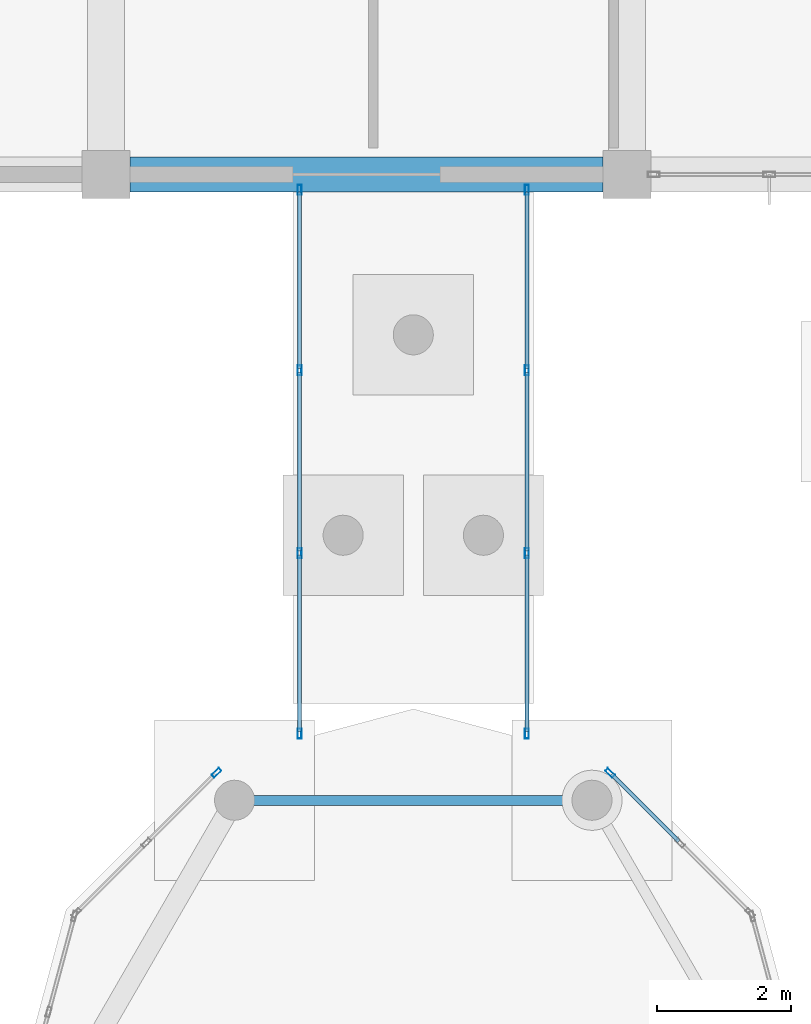
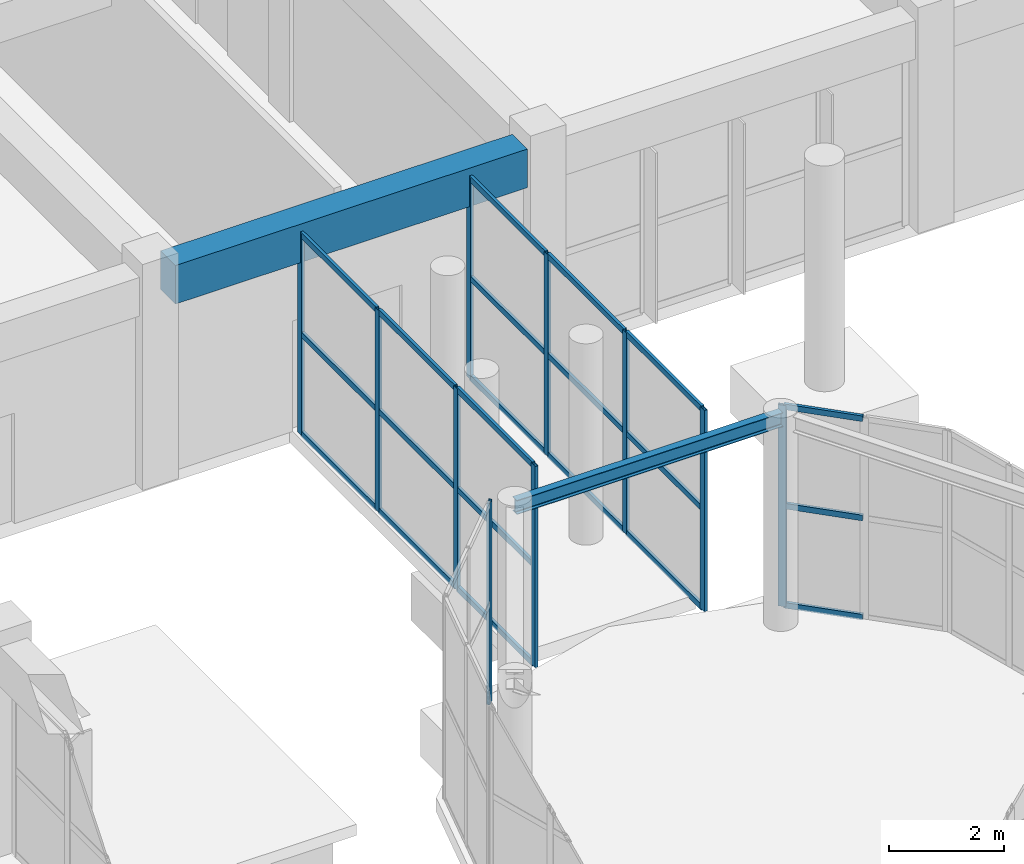
# One storey, part 56 of 139: 31 members, 2 beams, 4 elements without a shape of their own.
"""IFC4 building model written with IfcOpenShell, lengths in metres."""

import ifcopenshell
import ifcopenshell.guid

model = None  # the IFC model being written
_history = None  # IfcOwnerHistory: only IFC2X3 demands one
_inside = {}  # id of a spatial element -> (the spatial element, [elements in it])
_under = {}  # id of a project, library or spatial element -> (it, [spatial elements below it])
_declared = {}  # id of a project -> (the project, [libraries it declares])
_typed = {}  # id of a type object -> (the type object, [elements of that type])
_made_of = {}  # id of a material, layer set ... -> (it, [elements and type objects made of it])


def new_model(schema):
    """Start an empty IFC model of exactly this schema.

    Asked for "IFC4X3", IfcOpenShell would pick the latest addendum, in which some entities
    have other attributes; the version numbers below select the first issue.
    IFC2X3 requires an IfcOwnerHistory on every rooted entity: one is made here for all.
    """
    global model, _history
    if schema == "IFC4X3":
        model = ifcopenshell.file(schema_version=(4, 3, 0, 0))
    else:
        model = ifcopenshell.file(schema=schema)
    _inside.clear()
    _under.clear()
    _declared.clear()
    _typed.clear()
    _made_of.clear()
    _history = None
    if model.schema == "IFC2X3":
        org = make("IfcOrganization", Name="unknown")
        user = make(
            "IfcPersonAndOrganization",
            ThePerson=make("IfcPerson", FamilyName="unknown"),
            TheOrganization=org,
        )
        app = make(
            "IfcApplication",
            ApplicationDeveloper=org,
            Version="unknown",
            ApplicationFullName="unknown",
            ApplicationIdentifier="unknown",
        )
        _history = make(
            "IfcOwnerHistory",
            OwningUser=user,
            OwningApplication=app,
            ChangeAction="ADDED",
            CreationDate=0,
        )
    return model


def make(cls, **values):
    """One entity of the class cls with the attributes given. An attribute that is None is left unset."""
    return model.create_entity(
        cls, **{name: value for name, value in values.items() if value is not None}
    )


def rooted(cls, **values):
    """An entity with a GlobalId (a new one), such as an element, a storey or a relation."""
    return make(cls, GlobalId=ifcopenshell.guid.new(), OwnerHistory=_history, **values)


def si_unit(unit_type, name, prefix=None):
    """IfcSIUnit, for example si_unit("LENGTHUNIT", "METRE", prefix="MILLI")."""
    return make("IfcSIUnit", UnitType=unit_type, Prefix=prefix, Name=name)


def assignment(units):
    """IfcUnitAssignment: the units of a project."""
    return None if units is None else make("IfcUnitAssignment", Units=units)


def point(xyz):
    """IfcCartesianPoint."""
    return None if xyz is None else make("IfcCartesianPoint", Coordinates=xyz)


def direction(xyz):
    """IfcDirection."""
    return None if xyz is None else make("IfcDirection", DirectionRatios=xyz)


def frame(location, z_axis=None, x_axis=None):
    """IfcAxis2Placement3D, a coordinate frame: its origin and axes. An axis left out is left unset."""
    return make(
        "IfcAxis2Placement3D",
        Location=point(location),
        Axis=direction(z_axis),
        RefDirection=direction(x_axis),
    )


def frame_2d(location, x_axis=None):
    """IfcAxis2Placement2D, a coordinate frame in the plane: its origin and x axis."""
    return make(
        "IfcAxis2Placement2D", Location=point(location), RefDirection=direction(x_axis)
    )


def origin():
    """The frame at (0, 0, 0) with its axes left unset."""
    return frame((0.0, 0.0, 0.0))


def origin_2d():
    """The frame at (0, 0) in the plane with its x axis left unset."""
    return frame_2d((0.0, 0.0))


def place(relative_to, where):
    """IfcLocalPlacement: puts the frame where relative to a parent placement (None: the world)."""
    return make(
        "IfcLocalPlacement", PlacementRelTo=relative_to, RelativePlacement=where
    )


def context(
    kind, dimensions, precision=None, world=None, true_north=None, identifier=None
):
    """IfcGeometricRepresentationContext, for example the 3D "Model" context."""
    return make(
        "IfcGeometricRepresentationContext",
        ContextIdentifier=identifier,
        ContextType=kind,
        CoordinateSpaceDimension=dimensions,
        Precision=precision,
        WorldCoordinateSystem=world,
        TrueNorth=true_north,
    )


def subcontext(parent, identifier, kind, view, scale=None):
    """IfcGeometricRepresentationSubContext, for example "Body" below "Model"."""
    return make(
        "IfcGeometricRepresentationSubContext",
        ContextIdentifier=identifier,
        ContextType=kind,
        ParentContext=parent,
        TargetScale=scale,
        TargetView=view,
    )


def project(units=None, contexts=None):
    """IfcProject with its units and contexts."""
    return rooted(
        "IfcProject",
        Name="project",
        RepresentationContexts=contexts,
        UnitsInContext=assignment(units),
    )


def spatial(cls, under=None, at=None, **own):
    """A site, building, storey or space (cls), placed at a placement, below another one or the project."""
    s = rooted(cls, ObjectPlacement=at, **own)
    if under is not None:
        _under.setdefault(under.id(), (under, []))[1].append(s)
    return s


def profile(cls, at=None, kind="AREA", **sizes):
    """A parametric profile (cls). Its sizes go by their IFC names, for example OverallWidth=200.0."""
    return make(cls, ProfileType=kind, Position=at, **sizes)


def rectangle(**sizes):
    """IfcRectangleProfileDef."""
    return profile("IfcRectangleProfileDef", **sizes)


def hollow_rectangle(**sizes):
    """IfcRectangleHollowProfileDef."""
    return profile("IfcRectangleHollowProfileDef", **sizes)


def i_section(**sizes):
    """IfcIShapeProfileDef."""
    return profile("IfcIShapeProfileDef", **sizes)


def extrude(swept, where, along, depth):
    """IfcExtrudedAreaSolid: the profile swept, set in the frame where, extruded along a direction by depth."""
    return make(
        "IfcExtrudedAreaSolid",
        SweptArea=swept,
        Position=where,
        ExtrudedDirection=direction(along),
        Depth=depth,
    )


def shape(context_of_items, identifier, shape_type, items):
    """IfcShapeRepresentation: the items that make up one representation, for example the "Body"."""
    return make(
        "IfcShapeRepresentation",
        ContextOfItems=context_of_items,
        RepresentationIdentifier=identifier,
        RepresentationType=shape_type,
        Items=items,
    )


def material(Name=None, Category=None):
    """IfcMaterial."""
    return make("IfcMaterial", Name=Name, Category=Category)


def layer(
    of_material, thickness, ventilated=None, Name=None, Category=None, Priority=None
):
    """IfcMaterialLayer: one layer of a wall or slab, of a material (None: an air gap)."""
    return make(
        "IfcMaterialLayer",
        Material=of_material,
        LayerThickness=thickness,
        IsVentilated=ventilated,
        Name=Name,
        Category=Category,
        Priority=Priority,
    )


def layer_set(layers, Name=None):
    """IfcMaterialLayerSet."""
    return make("IfcMaterialLayerSet", MaterialLayers=layers, LayerSetName=Name)


def material_profile(
    of_material, cross_section, Name=None, Category=None, Priority=None
):
    """IfcMaterialProfile: a cross section and its material."""
    return make(
        "IfcMaterialProfile",
        Name=Name,
        Material=of_material,
        Profile=cross_section,
        Priority=Priority,
        Category=Category,
    )


def profile_set(profiles, Name=None, composite=None):
    """IfcMaterialProfileSet."""
    return make(
        "IfcMaterialProfileSet",
        Name=Name,
        MaterialProfiles=profiles,
        CompositeProfile=composite,
    )


def made_of(thing, what):
    """Note that an element or type object is made of a material, layer set ...; save() writes the relation."""
    if what is not None:
        _made_of.setdefault(what.id(), (what, []))[1].append(thing)
    return thing


def type_object(cls, material=None, **own):
    """A type object (cls), such as IfcWallType, which elements share."""
    return made_of(rooted(cls, **own), material)


def element(
    cls,
    number,
    at=None,
    inside=None,
    cuts=None,
    type_object=None,
    material=None,
    context=None,
    identifier="Body",
    shape_type=None,
    held_by="IfcProductDefinitionShape",
    body=None,
    shapes=None,
    **own,
):
    """One element of the class cls, such as IfcWall. Its Tag is "e" and its number.

    at: its placement. inside: the storey or other place that contains it. cuts: it is an
    opening in that element (IfcRelVoidsElement). A single representation is given by context,
    identifier, shape_type and body (its items); several are given by shapes. held_by: the class
    of the entity that holds the representations. save() writes the other relations.
    """
    e = rooted(cls, Tag="e%d" % number, ObjectPlacement=at, **own)
    if body is not None:
        shapes = [shape(context, identifier, shape_type, body)]
    if shapes is not None:
        e.Representation = make(held_by, Representations=shapes)
    if inside is not None:
        _inside.setdefault(inside.id(), (inside, []))[1].append(e)
    if cuts is not None:
        rooted(
            "IfcRelVoidsElement", RelatingBuildingElement=cuts, RelatedOpeningElement=e
        )
    if type_object is not None:
        _typed.setdefault(type_object.id(), (type_object, []))[1].append(e)
    return made_of(e, material)


def aggregate(whole, parts):
    """IfcRelAggregates: a whole, such as a stair, and the parts it consists of."""
    return rooted("IfcRelAggregates", RelatingObject=whole, RelatedObjects=parts)


def save(model, path):
    """Write the relations noted so far, then the file.

    IfcRelAggregates (storeys below a building ...), IfcRelContainedInSpatialStructure (elements
    in a storey), IfcRelDefinesByType, IfcRelAssociatesMaterial and IfcRelDeclares: one each for
    every whole, place, type object, material and project.
    """
    for whole, parts in _under.values():
        aggregate(whole, parts)
    for where, things in _inside.values():
        rooted(
            "IfcRelContainedInSpatialStructure",
            RelatedElements=things,
            RelatingStructure=where,
        )
    for kind, things in _typed.values():
        rooted("IfcRelDefinesByType", RelatedObjects=things, RelatingType=kind)
    for what, things in _made_of.values():
        rooted("IfcRelAssociatesMaterial", RelatedObjects=things, RelatingMaterial=what)
    for by, libraries in _declared.values():
        rooted("IfcRelDeclares", RelatingContext=by, RelatedDefinitions=libraries)
    model.write(path)


model = new_model("IFC4")

# Units and contexts
model_context = context("Model", 3, precision=1e-05, world=origin(), true_north=direction((0.0, 1.0)))
body_context = subcontext(model_context, "Body", "Model", "MODEL_VIEW")
ifc_project = project(units=[si_unit("LENGTHUNIT", "METRE"), si_unit("AREAUNIT", "SQUARE_METRE"), si_unit("VOLUMEUNIT", "CUBIC_METRE"), si_unit("PLANEANGLEUNIT", "RADIAN"), si_unit("MASSUNIT", "GRAM", prefix="KILO")], contexts=[model_context])

# Site, building, storey
site_placement = place(None, origin())
site = spatial("IfcSite", under=ifc_project, at=site_placement, CompositionType="ELEMENT")
building_placement = place(site_placement, origin())
building = spatial("IfcBuilding", under=site, at=building_placement, Name="Zizhar Promenade General Hospital", CompositionType="ELEMENT")
storey_placement = place(building_placement, origin())
storey = spatial("IfcBuildingStorey", under=building, at=storey_placement, Name="L00", CompositionType="ELEMENT", Elevation=0.0)

# Beams
ifc_material_1 = material(Name="Concrete C35/45", Category="concrete")
ifc_material_profile_1 = material_profile(ifc_material_1, rectangle(XDim=0.52001953125, YDim=0.820068359375, at=origin_2d()))
ifc_profile_set_1 = profile_set([ifc_material_profile_1], Name="Concrete C35/45")
beam_type_1 = type_object("IfcBeamType", Name="BM-RC-520x820", PredefinedType="BEAM", material=ifc_profile_set_1)
beam_1_placement = place(storey_placement, frame((140.760009765625, 42.0, 4.06005859375), z_axis=(1.0, 0.0, 0.0), x_axis=(0.0, 1.0, 0.0)))
element("IfcBeam", 1, at=beam_1_placement, inside=storey, type_object=beam_type_1, Name="Grid Beam X L00 (18-5)", PredefinedType="BEAM", context=body_context, shape_type="SweptSolid", body=[
    extrude(rectangle(XDim=0.52001953125, YDim=0.820068359375, at=origin_2d()), origin(), (0.0, 0.0, 1.0), 7.080078125),
])
ifc_material_2 = material(Name="Steel S355", Category="steel")
ifc_material_profile_2 = material_profile(ifc_material_2, i_section(OverallWidth=0.14990234375, OverallDepth=0.300048828125, WebThickness=0.007080078125, FlangeThickness=0.0107421875, FilletRadius=0.014892578125, at=origin_2d()))
ifc_profile_set_2 = profile_set([ifc_material_profile_2], Name="Steel S355")
beam_type_2 = type_object("IfcBeamType", Name="BM-STL-IPE300", PredefinedType="JOIST", material=ifc_profile_set_2)
beam_2_placement = place(storey_placement, frame((147.675048828125, 32.63330078125, 4.340087890625), z_axis=(-1.0, 0.0, 0.0), x_axis=(0.0, -1.0, 0.0)))
element("IfcBeam", 2, at=beam_2_placement, inside=storey, type_object=beam_type_2, Name="PAV-1 Roof Ring Beam 2", PredefinedType="JOIST", context=body_context, shape_type="SweptSolid", body=[
    extrude(i_section(OverallWidth=0.14990234375, OverallDepth=0.300048828125, WebThickness=0.007080078125, FlangeThickness=0.0107421875, FilletRadius=0.014892578125, at=origin_2d()), origin(), (0.0, 0.0, 1.0), 5.35009765625),
])

# Curtain wall, member
ifc_material_3 = material(Name="Anodised aluminium 6063-T6 and low-E glass", Category="aluminium")
ifc_layer = layer(ifc_material_3, 0.159912109375)
ifc_layer_set = layer_set([ifc_layer], Name="Anodised aluminium 6063-T6 and low-E glass")
curtain_wall_type = type_object("IfcCurtainWallType", Name="CW-PAV-GLZ", PredefinedType="NOTDEFINED", material=ifc_layer_set)
curtain_wall_1_placement = place(storey_placement, origin())
curtain_wall_1 = element("IfcCurtainWall", 3, at=curtain_wall_1_placement, inside=storey, type_object=curtain_wall_type, Name="Outpatient Welcome Pavilion Curved Glazing 2", PredefinedType="NOTDEFINED")
ifc_material_4 = material(Name="Anodised aluminium 6063-T6", Category="aluminium")
ifc_material_profile_3 = material_profile(ifc_material_4, hollow_rectangle(XDim=0.06005859375, YDim=0.14990234375, WallThickness=0.00390625, at=origin_2d()))
ifc_profile_set_3 = profile_set([ifc_material_profile_3], Name="Anodised aluminium 6063-T6")
member_type_1 = type_object("IfcMemberType", Name="CWM-ALU-150x60", PredefinedType="MULLION", material=ifc_profile_set_3)
member_1_placement = place(storey_placement, frame((147.9462890625, 33.044921875, 0.0), z_axis=(0.0, 0.0, 1.0), x_axis=(0.707106781187, 0.707106781187, 0.0)))
member_1 = element("IfcMember", 4, at=member_1_placement, type_object=member_type_1, Name="CW-14 mullion 1", PredefinedType="MULLION", context=body_context, shape_type="SweptSolid", body=[
    extrude(hollow_rectangle(XDim=0.06005859375, YDim=0.14990234375, WallThickness=0.00390625, at=origin_2d()), origin(), (0.0, 0.0, 1.0), 4.280029296875),
])

curtain_wall_2_placement = place(storey_placement, origin())
curtain_wall_2 = element("IfcCurtainWall", 5, at=curtain_wall_2_placement, inside=storey, type_object=curtain_wall_type, Name="Outpatient Welcome Pavilion Curved Glazing 5", PredefinedType="NOTDEFINED")
member_2_placement = place(storey_placement, frame((142.0537109375, 33.044921875, 0.0), z_axis=(0.0, 0.0, 1.0), x_axis=(-0.707106781187, 0.707106781187, 0.0)))
member_2 = element("IfcMember", 6, at=member_2_placement, type_object=member_type_1, Name="CW-14 mullion 3", PredefinedType="MULLION", context=body_context, shape_type="SweptSolid", body=[
    extrude(hollow_rectangle(XDim=0.06005859375, YDim=0.14990234375, WallThickness=0.00390625, at=origin_2d()), origin(), (0.0, 0.0, 1.0), 4.280029296875),
])
aggregate(curtain_wall_2, [member_2])

# Curtain wall, members
curtain_wall_3_placement = place(storey_placement, origin())
curtain_wall_3 = element("IfcCurtainWall", 7, at=curtain_wall_3_placement, inside=storey, type_object=curtain_wall_type, Name="Outpatient Welcome Pavilion Link West Glazing", PredefinedType="NOTDEFINED")
member_3_placement = place(storey_placement, frame((143.300048828125, 33.6298828125, 0.0), z_axis=(0.0, 0.0, 1.0), x_axis=(-1.0, 0.0, 0.0)))
member_3 = element("IfcMember", 8, at=member_3_placement, type_object=member_type_1, Name="CW-14 mullion 1", PredefinedType="MULLION", context=body_context, shape_type="SweptSolid", body=[
    extrude(hollow_rectangle(XDim=0.06005859375, YDim=0.14990234375, WallThickness=0.00390625, at=origin_2d()), origin(), (0.0, 0.0, 1.0), 4.280029296875),
])
member_4_placement = place(storey_placement, frame((143.300048828125, 36.333251953125, 0.0), z_axis=(0.0, 0.0, 1.0), x_axis=(-1.0, 0.0, 0.0)))
member_4 = element("IfcMember", 9, at=member_4_placement, type_object=member_type_1, Name="CW-14 mullion 2", PredefinedType="MULLION", context=body_context, shape_type="SweptSolid", body=[
    extrude(hollow_rectangle(XDim=0.06005859375, YDim=0.14990234375, WallThickness=0.00390625, at=origin_2d()), origin(), (0.0, 0.0, 1.0), 4.280029296875),
])
member_5_placement = place(storey_placement, frame((143.300048828125, 39.066650390625, 0.0), z_axis=(0.0, 0.0, 1.0), x_axis=(-1.0, 0.0, 0.0)))
member_5 = element("IfcMember", 10, at=member_5_placement, type_object=member_type_1, Name="CW-14 mullion 3", PredefinedType="MULLION", context=body_context, shape_type="SweptSolid", body=[
    extrude(hollow_rectangle(XDim=0.06005859375, YDim=0.14990234375, WallThickness=0.00390625, at=origin_2d()), origin(), (0.0, 0.0, 1.0), 4.280029296875),
])
member_6_placement = place(storey_placement, frame((143.300048828125, 41.77001953125, 0.0), z_axis=(0.0, 0.0, 1.0), x_axis=(-1.0, 0.0, 0.0)))
member_6 = element("IfcMember", 11, at=member_6_placement, type_object=member_type_1, Name="CW-14 mullion 4", PredefinedType="MULLION", context=body_context, shape_type="SweptSolid", body=[
    extrude(hollow_rectangle(XDim=0.06005859375, YDim=0.14990234375, WallThickness=0.00390625, at=origin_2d()), origin(), (0.0, 0.0, 1.0), 4.280029296875),
])

curtain_wall_4_placement = place(storey_placement, origin())
curtain_wall_4 = element("IfcCurtainWall", 12, at=curtain_wall_4_placement, inside=storey, type_object=curtain_wall_type, Name="Outpatient Welcome Pavilion Link East Glazing", PredefinedType="NOTDEFINED")
member_7_placement = place(storey_placement, frame((146.699951171875, 41.77001953125, 0.0), z_axis=(0.0, 0.0, 1.0), x_axis=(1.0, 0.0, 0.0)))
member_7 = element("IfcMember", 13, at=member_7_placement, type_object=member_type_1, Name="CW-14 mullion 1", PredefinedType="MULLION", context=body_context, shape_type="SweptSolid", body=[
    extrude(hollow_rectangle(XDim=0.06005859375, YDim=0.14990234375, WallThickness=0.00390625, at=origin_2d()), origin(), (0.0, 0.0, 1.0), 4.280029296875),
])
member_8_placement = place(storey_placement, frame((146.699951171875, 39.066650390625, 0.0), z_axis=(0.0, 0.0, 1.0), x_axis=(1.0, 0.0, 0.0)))
member_8 = element("IfcMember", 14, at=member_8_placement, type_object=member_type_1, Name="CW-14 mullion 2", PredefinedType="MULLION", context=body_context, shape_type="SweptSolid", body=[
    extrude(hollow_rectangle(XDim=0.06005859375, YDim=0.14990234375, WallThickness=0.00390625, at=origin_2d()), origin(), (0.0, 0.0, 1.0), 4.280029296875),
])
member_9_placement = place(storey_placement, frame((146.699951171875, 36.333251953125, 0.0), z_axis=(0.0, 0.0, 1.0), x_axis=(1.0, 0.0, 0.0)))
member_9 = element("IfcMember", 15, at=member_9_placement, type_object=member_type_1, Name="CW-14 mullion 3", PredefinedType="MULLION", context=body_context, shape_type="SweptSolid", body=[
    extrude(hollow_rectangle(XDim=0.06005859375, YDim=0.14990234375, WallThickness=0.00390625, at=origin_2d()), origin(), (0.0, 0.0, 1.0), 4.280029296875),
])
member_10_placement = place(storey_placement, frame((146.699951171875, 33.6298828125, 0.0), z_axis=(0.0, 0.0, 1.0), x_axis=(1.0, 0.0, 0.0)))
member_10 = element("IfcMember", 16, at=member_10_placement, type_object=member_type_1, Name="CW-14 mullion 4", PredefinedType="MULLION", context=body_context, shape_type="SweptSolid", body=[
    extrude(hollow_rectangle(XDim=0.06005859375, YDim=0.14990234375, WallThickness=0.00390625, at=origin_2d()), origin(), (0.0, 0.0, 1.0), 4.280029296875),
])

# Member
ifc_material_5 = material(Name="Anodised aluminium 6063-T6", Category="aluminium")
ifc_material_profile_4 = material_profile(ifc_material_5, hollow_rectangle(XDim=0.06005859375, YDim=0.1201171875, WallThickness=0.00390625, at=origin_2d()))
ifc_profile_set_4 = profile_set([ifc_material_profile_4], Name="Anodised aluminium 6063-T6")
member_type_2 = type_object("IfcMemberType", Name="CWT-ALU-120x60", PredefinedType="USERDEFINED", material=ifc_profile_set_4)
member_11_placement = place(storey_placement, frame((147.967529296875, 33.023681640625, 0.030029296875), z_axis=(0.707106781187, -0.707106781187, 0.0), x_axis=(0.707106781187, 0.707106781187, 0.0)))
member_11 = element("IfcMember", 17, at=member_11_placement, type_object=member_type_2, Name="CW-14 transom 1.1", ObjectType="TRANSOM", PredefinedType="USERDEFINED", context=body_context, shape_type="SweptSolid", body=[
    extrude(hollow_rectangle(XDim=0.06005859375, YDim=0.1201171875, WallThickness=0.00390625, at=origin_2d()), origin(), (0.0, 0.0, 1.0), 1.423828125),
])

member_12_placement = place(storey_placement, frame((147.967529296875, 33.023681640625, 2.139892578125), z_axis=(0.707106781187, -0.707106781187, 0.0), x_axis=(0.707106781187, 0.707106781187, 0.0)))
member_12 = element("IfcMember", 18, at=member_12_placement, type_object=member_type_2, Name="CW-14 transom 1.2", ObjectType="TRANSOM", PredefinedType="USERDEFINED", context=body_context, shape_type="SweptSolid", body=[
    extrude(hollow_rectangle(XDim=0.06005859375, YDim=0.1201171875, WallThickness=0.00390625, at=origin_2d()), origin(), (0.0, 0.0, 1.0), 1.423828125),
])

member_13_placement = place(storey_placement, frame((147.967529296875, 33.023681640625, 4.25), z_axis=(0.707106781187, -0.707106781187, 0.0), x_axis=(0.707106781187, 0.707106781187, 0.0)))
member_13 = element("IfcMember", 19, at=member_13_placement, type_object=member_type_2, Name="CW-14 transom 1.3", ObjectType="TRANSOM", PredefinedType="USERDEFINED", context=body_context, shape_type="SweptSolid", body=[
    extrude(hollow_rectangle(XDim=0.06005859375, YDim=0.1201171875, WallThickness=0.00390625, at=origin_2d()), origin(), (0.0, 0.0, 1.0), 1.423828125),
])

aggregate(curtain_wall_1, [member_1, member_11, member_12, member_13])

member_14_placement = place(storey_placement, frame((143.300048828125, 33.659912109375, 0.030029296875), z_axis=(0.0, 1.0, 0.0), x_axis=(-1.0, 0.0, 0.0)))
member_14 = element("IfcMember", 20, at=member_14_placement, type_object=member_type_2, Name="CW-14 transom 1.1", ObjectType="TRANSOM", PredefinedType="USERDEFINED", context=body_context, shape_type="SweptSolid", body=[
    extrude(hollow_rectangle(XDim=0.06005859375, YDim=0.1201171875, WallThickness=0.00390625, at=origin_2d()), origin(), (0.0, 0.0, 1.0), 2.643310546875),
])

member_15_placement = place(storey_placement, frame((143.300048828125, 33.659912109375, 2.139892578125), z_axis=(0.0, 1.0, 0.0), x_axis=(-1.0, 0.0, 0.0)))
member_15 = element("IfcMember", 21, at=member_15_placement, type_object=member_type_2, Name="CW-14 transom 1.2", ObjectType="TRANSOM", PredefinedType="USERDEFINED", context=body_context, shape_type="SweptSolid", body=[
    extrude(hollow_rectangle(XDim=0.06005859375, YDim=0.1201171875, WallThickness=0.00390625, at=origin_2d()), origin(), (0.0, 0.0, 1.0), 2.643310546875),
])

member_16_placement = place(storey_placement, frame((143.300048828125, 33.659912109375, 4.25), z_axis=(0.0, 1.0, 0.0), x_axis=(-1.0, 0.0, 0.0)))
member_16 = element("IfcMember", 22, at=member_16_placement, type_object=member_type_2, Name="CW-14 transom 1.3", ObjectType="TRANSOM", PredefinedType="USERDEFINED", context=body_context, shape_type="SweptSolid", body=[
    extrude(hollow_rectangle(XDim=0.06005859375, YDim=0.1201171875, WallThickness=0.00390625, at=origin_2d()), origin(), (0.0, 0.0, 1.0), 2.643310546875),
])

member_17_placement = place(storey_placement, frame((143.300048828125, 36.36328125, 0.030029296875), z_axis=(0.0, 1.0, 0.0), x_axis=(-1.0, 0.0, 0.0)))
member_17 = element("IfcMember", 23, at=member_17_placement, type_object=member_type_2, Name="CW-14 transom 2.1", ObjectType="TRANSOM", PredefinedType="USERDEFINED", context=body_context, shape_type="SweptSolid", body=[
    extrude(hollow_rectangle(XDim=0.06005859375, YDim=0.1201171875, WallThickness=0.00390625, at=origin_2d()), origin(), (0.0, 0.0, 1.0), 2.67333984375),
])

member_18_placement = place(storey_placement, frame((143.300048828125, 36.36328125, 2.139892578125), z_axis=(0.0, 1.0, 0.0), x_axis=(-1.0, 0.0, 0.0)))
member_18 = element("IfcMember", 24, at=member_18_placement, type_object=member_type_2, Name="CW-14 transom 2.2", ObjectType="TRANSOM", PredefinedType="USERDEFINED", context=body_context, shape_type="SweptSolid", body=[
    extrude(hollow_rectangle(XDim=0.06005859375, YDim=0.1201171875, WallThickness=0.00390625, at=origin_2d()), origin(), (0.0, 0.0, 1.0), 2.67333984375),
])

member_19_placement = place(storey_placement, frame((143.300048828125, 36.36328125, 4.25), z_axis=(0.0, 1.0, 0.0), x_axis=(-1.0, 0.0, 0.0)))
member_19 = element("IfcMember", 25, at=member_19_placement, type_object=member_type_2, Name="CW-14 transom 2.3", ObjectType="TRANSOM", PredefinedType="USERDEFINED", context=body_context, shape_type="SweptSolid", body=[
    extrude(hollow_rectangle(XDim=0.06005859375, YDim=0.1201171875, WallThickness=0.00390625, at=origin_2d()), origin(), (0.0, 0.0, 1.0), 2.67333984375),
])

member_20_placement = place(storey_placement, frame((143.300048828125, 39.0966796875, 0.030029296875), z_axis=(0.0, 1.0, 0.0), x_axis=(-1.0, 0.0, 0.0)))
member_20 = element("IfcMember", 26, at=member_20_placement, type_object=member_type_2, Name="CW-14 transom 3.1", ObjectType="TRANSOM", PredefinedType="USERDEFINED", context=body_context, shape_type="SweptSolid", body=[
    extrude(hollow_rectangle(XDim=0.06005859375, YDim=0.1201171875, WallThickness=0.00390625, at=origin_2d()), origin(), (0.0, 0.0, 1.0), 2.643310546875),
])

member_21_placement = place(storey_placement, frame((143.300048828125, 39.0966796875, 2.139892578125), z_axis=(0.0, 1.0, 0.0), x_axis=(-1.0, 0.0, 0.0)))
member_21 = element("IfcMember", 27, at=member_21_placement, type_object=member_type_2, Name="CW-14 transom 3.2", ObjectType="TRANSOM", PredefinedType="USERDEFINED", context=body_context, shape_type="SweptSolid", body=[
    extrude(hollow_rectangle(XDim=0.06005859375, YDim=0.1201171875, WallThickness=0.00390625, at=origin_2d()), origin(), (0.0, 0.0, 1.0), 2.643310546875),
])

member_22_placement = place(storey_placement, frame((143.300048828125, 39.0966796875, 4.25), z_axis=(0.0, 1.0, 0.0), x_axis=(-1.0, 0.0, 0.0)))
member_22 = element("IfcMember", 28, at=member_22_placement, type_object=member_type_2, Name="CW-14 transom 3.3", ObjectType="TRANSOM", PredefinedType="USERDEFINED", context=body_context, shape_type="SweptSolid", body=[
    extrude(hollow_rectangle(XDim=0.06005859375, YDim=0.1201171875, WallThickness=0.00390625, at=origin_2d()), origin(), (0.0, 0.0, 1.0), 2.643310546875),
])

aggregate(curtain_wall_3, [member_3, member_4, member_5, member_6, member_14, member_15, member_16, member_17, member_18, member_19, member_20, member_21, member_22])

member_23_placement = place(storey_placement, frame((146.699951171875, 41.739990234375, 0.030029296875), z_axis=(0.0, -1.0, 0.0), x_axis=(1.0, 0.0, 0.0)))
member_23 = element("IfcMember", 29, at=member_23_placement, type_object=member_type_2, Name="CW-14 transom 1.1", ObjectType="TRANSOM", PredefinedType="USERDEFINED", context=body_context, shape_type="SweptSolid", body=[
    extrude(hollow_rectangle(XDim=0.06005859375, YDim=0.1201171875, WallThickness=0.00390625, at=origin_2d()), origin(), (0.0, 0.0, 1.0), 2.643310546875),
])

member_24_placement = place(storey_placement, frame((146.699951171875, 41.739990234375, 2.139892578125), z_axis=(0.0, -1.0, 0.0), x_axis=(1.0, 0.0, 0.0)))
member_24 = element("IfcMember", 30, at=member_24_placement, type_object=member_type_2, Name="CW-14 transom 1.2", ObjectType="TRANSOM", PredefinedType="USERDEFINED", context=body_context, shape_type="SweptSolid", body=[
    extrude(hollow_rectangle(XDim=0.06005859375, YDim=0.1201171875, WallThickness=0.00390625, at=origin_2d()), origin(), (0.0, 0.0, 1.0), 2.643310546875),
])

member_25_placement = place(storey_placement, frame((146.699951171875, 41.739990234375, 4.25), z_axis=(0.0, -1.0, 0.0), x_axis=(1.0, 0.0, 0.0)))
member_25 = element("IfcMember", 31, at=member_25_placement, type_object=member_type_2, Name="CW-14 transom 1.3", ObjectType="TRANSOM", PredefinedType="USERDEFINED", context=body_context, shape_type="SweptSolid", body=[
    extrude(hollow_rectangle(XDim=0.06005859375, YDim=0.1201171875, WallThickness=0.00390625, at=origin_2d()), origin(), (0.0, 0.0, 1.0), 2.643310546875),
])

member_26_placement = place(storey_placement, frame((146.699951171875, 39.03662109375, 0.030029296875), z_axis=(0.0, -1.0, 0.0), x_axis=(1.0, 0.0, 0.0)))
member_26 = element("IfcMember", 32, at=member_26_placement, type_object=member_type_2, Name="CW-14 transom 2.1", ObjectType="TRANSOM", PredefinedType="USERDEFINED", context=body_context, shape_type="SweptSolid", body=[
    extrude(hollow_rectangle(XDim=0.06005859375, YDim=0.1201171875, WallThickness=0.00390625, at=origin_2d()), origin(), (0.0, 0.0, 1.0), 2.67333984375),
])

member_27_placement = place(storey_placement, frame((146.699951171875, 39.03662109375, 2.139892578125), z_axis=(0.0, -1.0, 0.0), x_axis=(1.0, 0.0, 0.0)))
member_27 = element("IfcMember", 33, at=member_27_placement, type_object=member_type_2, Name="CW-14 transom 2.2", ObjectType="TRANSOM", PredefinedType="USERDEFINED", context=body_context, shape_type="SweptSolid", body=[
    extrude(hollow_rectangle(XDim=0.06005859375, YDim=0.1201171875, WallThickness=0.00390625, at=origin_2d()), origin(), (0.0, 0.0, 1.0), 2.67333984375),
])

member_28_placement = place(storey_placement, frame((146.699951171875, 39.03662109375, 4.25), z_axis=(0.0, -1.0, 0.0), x_axis=(1.0, 0.0, 0.0)))
member_28 = element("IfcMember", 34, at=member_28_placement, type_object=member_type_2, Name="CW-14 transom 2.3", ObjectType="TRANSOM", PredefinedType="USERDEFINED", context=body_context, shape_type="SweptSolid", body=[
    extrude(hollow_rectangle(XDim=0.06005859375, YDim=0.1201171875, WallThickness=0.00390625, at=origin_2d()), origin(), (0.0, 0.0, 1.0), 2.67333984375),
])

member_29_placement = place(storey_placement, frame((146.699951171875, 36.30322265625, 0.030029296875), z_axis=(0.0, -1.0, 0.0), x_axis=(1.0, 0.0, 0.0)))
member_29 = element("IfcMember", 35, at=member_29_placement, type_object=member_type_2, Name="CW-14 transom 3.1", ObjectType="TRANSOM", PredefinedType="USERDEFINED", context=body_context, shape_type="SweptSolid", body=[
    extrude(hollow_rectangle(XDim=0.06005859375, YDim=0.1201171875, WallThickness=0.00390625, at=origin_2d()), origin(), (0.0, 0.0, 1.0), 2.643310546875),
])

member_30_placement = place(storey_placement, frame((146.699951171875, 36.30322265625, 2.139892578125), z_axis=(0.0, -1.0, 0.0), x_axis=(1.0, 0.0, 0.0)))
member_30 = element("IfcMember", 36, at=member_30_placement, type_object=member_type_2, Name="CW-14 transom 3.2", ObjectType="TRANSOM", PredefinedType="USERDEFINED", context=body_context, shape_type="SweptSolid", body=[
    extrude(hollow_rectangle(XDim=0.06005859375, YDim=0.1201171875, WallThickness=0.00390625, at=origin_2d()), origin(), (0.0, 0.0, 1.0), 2.643310546875),
])

member_31_placement = place(storey_placement, frame((146.699951171875, 36.30322265625, 4.25), z_axis=(0.0, -1.0, 0.0), x_axis=(1.0, 0.0, 0.0)))
member_31 = element("IfcMember", 37, at=member_31_placement, type_object=member_type_2, Name="CW-14 transom 3.3", ObjectType="TRANSOM", PredefinedType="USERDEFINED", context=body_context, shape_type="SweptSolid", body=[
    extrude(hollow_rectangle(XDim=0.06005859375, YDim=0.1201171875, WallThickness=0.00390625, at=origin_2d()), origin(), (0.0, 0.0, 1.0), 2.643310546875),
])

aggregate(curtain_wall_4, [member_7, member_8, member_9, member_10, member_23, member_24, member_25, member_26, member_27, member_28, member_29, member_30, member_31])

save(model, "model.ifc")
